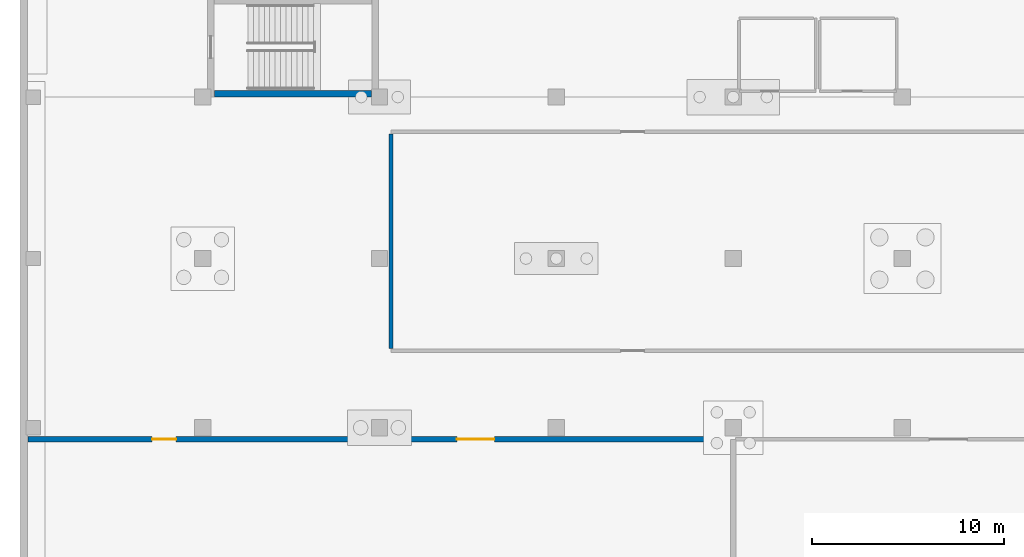
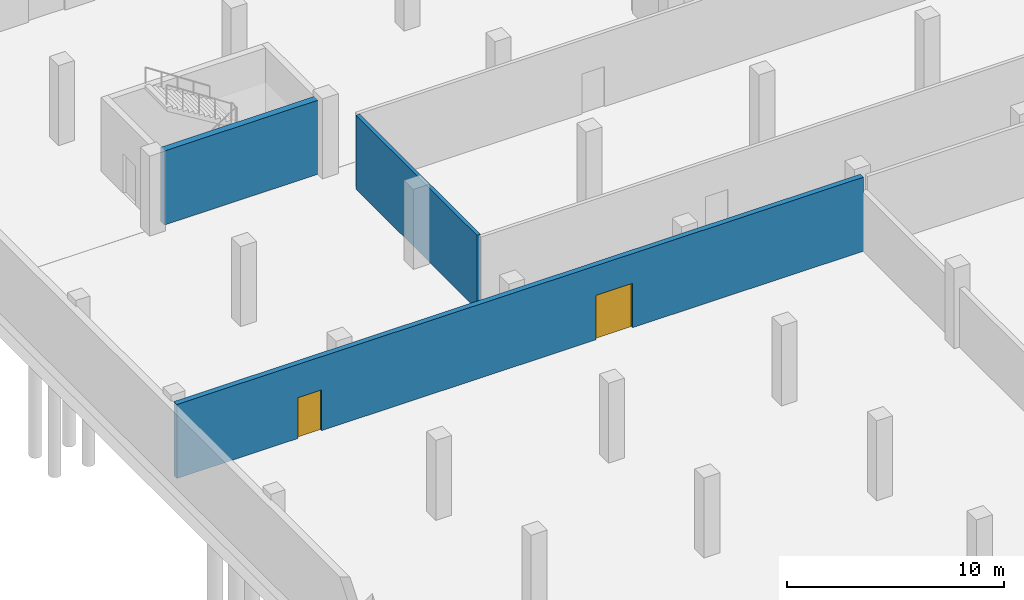
# One storey, part 14 of 29: 3 walls, 2 doors, 2 openings.
"""IFC4 building model written with IfcOpenShell, lengths in metres."""

from ifc_helpers import new_model, si_unit, direction, frame, frame_2d, origin, place, context, subcontext, project, spatial, rectangle, extrude, material, layer, layer_set, type_object, element, fill, save


model = new_model("IFC4")

# Units and contexts
model_context = context("Model", 3, precision=1e-05, world=origin(), true_north=direction((0.0, 1.0)))
body_context = subcontext(model_context, "Body", "Model", "MODEL_VIEW")
ifc_project = project(units=[si_unit("LENGTHUNIT", "METRE"), si_unit("AREAUNIT", "SQUARE_METRE"), si_unit("VOLUMEUNIT", "CUBIC_METRE"), si_unit("PLANEANGLEUNIT", "RADIAN"), si_unit("MASSUNIT", "GRAM", prefix="KILO")], contexts=[model_context])

# Site, building, storey
site_placement = place(None, origin())
site = spatial("IfcSite", under=ifc_project, at=site_placement, CompositionType="ELEMENT")
building_placement = place(site_placement, origin())
building = spatial("IfcBuilding", under=site, at=building_placement, Name="Meriwether Solvik Hall", CompositionType="ELEMENT")
storey_placement = place(building_placement, frame((0.0, 0.0, -9.0)))
storey = spatial("IfcBuildingStorey", under=building, at=storey_placement, Name="B02", CompositionType="ELEMENT", Elevation=-9.0)

# Wall
ifc_material_1 = material(Name="Grouted Concrete Masonry Unit Block", Category="masonry")
ifc_layer_1 = layer(ifc_material_1, 0.18994140625)
ifc_layer_set_1 = layer_set([ifc_layer_1], Name="Grouted Concrete Masonry Unit Block")
wall_type_1 = type_object("IfcWallType", Name="WALL-CMU-190", PredefinedType="STANDARD", material=ifc_layer_set_1)
wall_1_placement = place(storey_placement, frame((23.800048828125, 56.47998046875, 0.0), z_axis=(0.0, 0.0, 1.0), x_axis=(0.0, -1.0, 0.0)))
element("IfcWall", 1, at=wall_1_placement, inside=storey, type_object=wall_type_1, Name="B02 Interior Partition west_fnd_w", PredefinedType="STANDARD", context=body_context, shape_type="SweptSolid", body=[
    extrude(rectangle(XDim=11.159912109375, YDim=0.18994140625, at=frame_2d((5.580078125, 0.0))), origin(), (0.0, 0.0, 1.0), 4.169921875),
])

# Wall, openings, doors
ifc_material_2 = material(Name="Concrete C35/45", Category="concrete")
ifc_layer_2 = layer(ifc_material_2, 0.280029296875)
ifc_layer_set_2 = layer_set([ifc_layer_2], Name="Concrete C35/45")
wall_type_2 = type_object("IfcWallType", Name="WALL-PLANT-280", PredefinedType="STANDARD", material=ifc_layer_set_2)
wall_2_placement = place(storey_placement, frame((41.47998046875, 40.60009765625, 0.0), z_axis=(0.0, 0.0, 1.0), x_axis=(-1.0, 0.0, 0.0)))
wall_2 = element("IfcWall", 2, at=wall_2_placement, inside=storey, type_object=wall_type_2, Name="B02 Interior Partition chiller_n", PredefinedType="STANDARD", context=body_context, shape_type="SweptSolid", body=[
    extrude(rectangle(XDim=36.56005859375, YDim=0.280029296875, at=frame_2d((18.280029296875, 0.0))), origin(), (0.0, 0.0, 1.0), 4.169921875),
])
opening_1_placement = place(wall_2_placement, frame((12.29931640625, 0.0, 0.0)))
opening_1 = element("IfcOpeningElement", 3, at=opening_1_placement, cuts=wall_2, Name="Opening D-116", PredefinedType="OPENING", context=body_context, shape_type="SweptSolid", body=[
    extrude(rectangle(XDim=1.949951171875, YDim=2.5, at=frame_2d((0.97509765625, 1.25))), frame((0.0, 0.15185546875, 0.0), z_axis=(0.0, -1.0, 0.0), x_axis=(1.0, 0.0, 0.0)), (0.0, 0.0, 1.0), 0.303955078125),
])
opening_2_placement = place(wall_2_placement, frame((28.856201171875, 0.0, 0.0)))
opening_2 = element("IfcOpeningElement", 4, at=opening_2_placement, cuts=wall_2, Name="Opening D-187", PredefinedType="OPENING", context=body_context, shape_type="SweptSolid", body=[
    extrude(rectangle(XDim=1.25, YDim=2.300048828125, at=frame_2d((0.625, 1.14990234375))), frame((0.0, 0.15185546875, 0.0), z_axis=(0.0, -1.0, 0.0), x_axis=(1.0, 0.0, 0.0)), (0.0, 0.0, 1.0), 0.303955078125),
])
ifc_material_3 = material(Name="Steel A36 Galvanised", Category="steel")
door_type_1 = type_object("IfcDoorType", Name="DR-FD90-1250R", OperationType="SINGLE_SWING_RIGHT", PredefinedType="DOOR", material=ifc_material_3)
door_1_placement = place(opening_2_placement, origin())
door_1 = element("IfcDoor", 5, at=door_1_placement, inside=storey, type_object=door_type_1, Name="Central Chilled Water Plant Door 2", OperationType="SINGLE_SWING_RIGHT", OverallHeight=2.300048828125, OverallWidth=1.25, PredefinedType="DOOR", context=body_context, shape_type="SweptSolid", body=[
    extrude(rectangle(XDim=1.25, YDim=2.300048828125, at=frame_2d((0.625, 1.14990234375))), frame((0.0, 0.02490234375, 0.0), z_axis=(0.0, -1.0, 0.0), x_axis=(1.0, 0.0, 0.0)), (0.0, 0.0, 1.0), 0.050048828125),
])
fill(opening_2, door_1)
ifc_material_4 = material(Name="Steel A36 Galvanised", Category="steel")
door_type_2 = type_object("IfcDoorType", Name="DR-FD90-1950", OperationType="DOUBLE_DOOR_SINGLE_SWING", PredefinedType="DOOR", material=ifc_material_4)
door_2_placement = place(opening_1_placement, origin())
door_2 = element("IfcDoor", 6, at=door_2_placement, inside=storey, type_object=door_type_2, Name="Central Chilled Water Plant Door", OperationType="DOUBLE_DOOR_SINGLE_SWING", OverallHeight=2.5, OverallWidth=1.949951171875, PredefinedType="DOOR", context=body_context, shape_type="SweptSolid", body=[
    extrude(rectangle(XDim=1.949951171875, YDim=2.5, at=frame_2d((0.97509765625, 1.25))), frame((0.0, 0.02490234375, 0.0), z_axis=(0.0, -1.0, 0.0), x_axis=(1.0, 0.0, 0.0)), (0.0, 0.0, 1.0), 0.050048828125),
])
fill(opening_1, door_2)

# Wall
ifc_material_5 = material(Name="Concrete C40/50", Category="concrete")
ifc_layer_3 = layer(ifc_material_5, 0.35009765625)
ifc_layer_set_3 = layer_set([ifc_layer_3], Name="Concrete C40/50")
wall_type_3 = type_object("IfcWallType", Name="WALL-RC-350", PredefinedType="SHEAR", material=ifc_layer_set_3)
wall_3_placement = place(storey_placement, frame((14.610107421875, 58.574951171875, 0.0), z_axis=(0.0, 0.0, 1.0), x_axis=(1.0, 0.0, 0.0)))
element("IfcWall", 7, at=wall_3_placement, inside=storey, type_object=wall_type_3, Name="CORE-4 Shear Wall S (B02)", PredefinedType="SHEAR", context=body_context, shape_type="SweptSolid", body=[
    extrude(rectangle(XDim=8.179931640625, YDim=0.35009765625, at=frame_2d((4.08984375, 0.0))), origin(), (0.0, 0.0, 1.0), 4.169921875),
])

save(model, "model.ifc")
